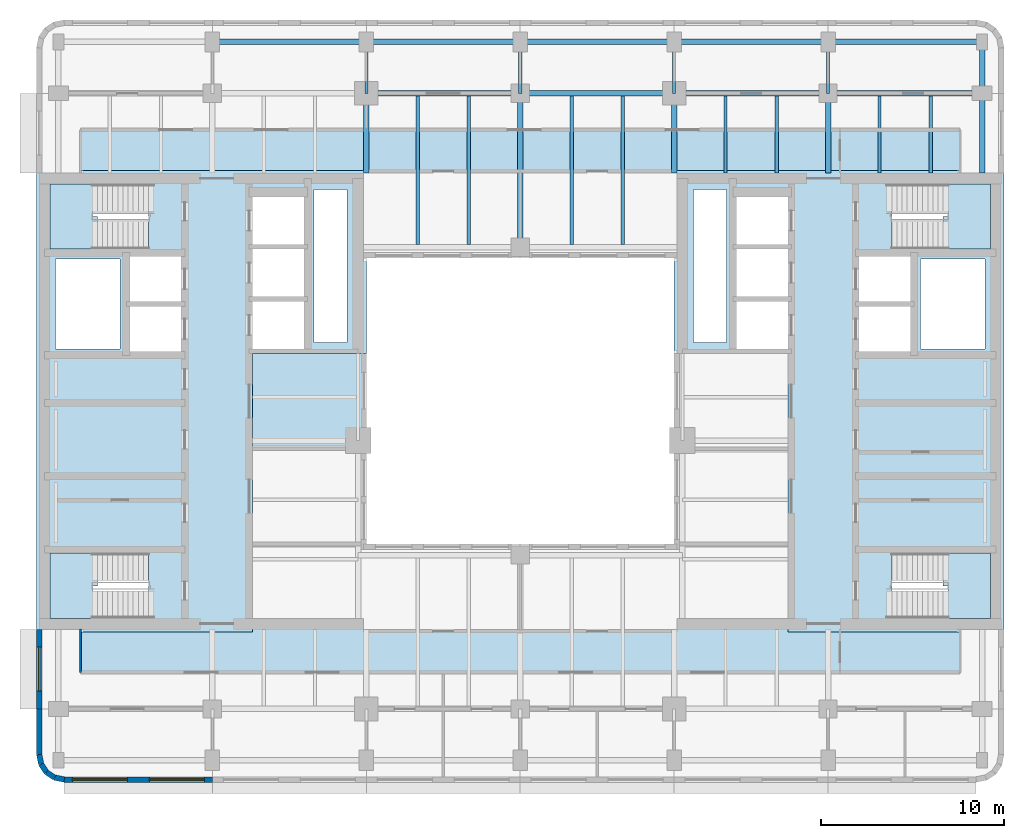
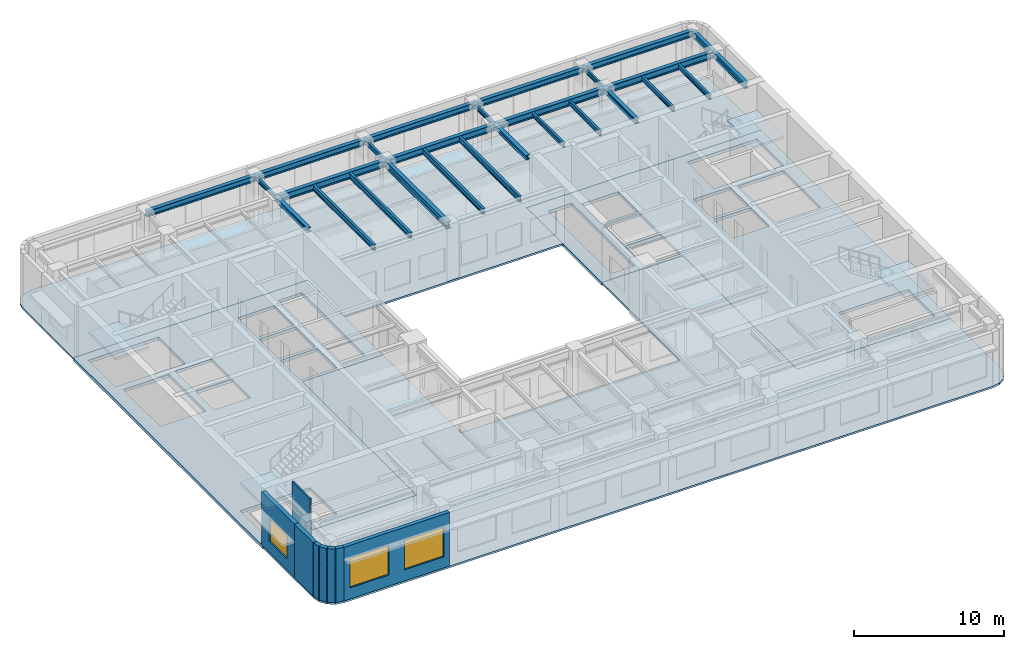
# One storey, part 2 of 11: 27 beams, 8 slabs, 8 walls, 3 windows, 3 openings, 4 elements without a shape of their own.
"""IFC4 building model written with IfcOpenShell, lengths in metres."""

from ifc_helpers import new_model, si_unit, direction, frame, frame_2d, origin, origin_2d, place, context, subcontext, project, spatial, polyline, rectangle, i_section, outline, extrude, material, layer, layer_set, material_profile, profile_set, type_object, element, fill, aggregate, save


model = new_model("IFC4")

# Units and contexts
model_context = context("Model", 3, precision=1e-05, world=origin(), true_north=direction((0.0, 1.0)))
body_context = subcontext(model_context, "Body", "Model", "MODEL_VIEW")
ifc_project = project(units=[si_unit("LENGTHUNIT", "METRE"), si_unit("AREAUNIT", "SQUARE_METRE"), si_unit("VOLUMEUNIT", "CUBIC_METRE"), si_unit("PLANEANGLEUNIT", "RADIAN"), si_unit("MASSUNIT", "GRAM", prefix="KILO")], contexts=[model_context])

# Site, building, storey
site_placement = place(None, origin())
site = spatial("IfcSite", under=ifc_project, at=site_placement, CompositionType="ELEMENT")
building_placement = place(site_placement, origin())
building = spatial("IfcBuilding", under=site, at=building_placement, Name="Claustro Exchange Tower", CompositionType="ELEMENT")
storey_placement = place(building_placement, frame((0.0, 0.0, 263.699951171875)))
storey = spatial("IfcBuildingStorey", under=building, at=storey_placement, Name="L60", CompositionType="ELEMENT", Elevation=263.699951171875)

# Beams
ifc_material_1 = material(Name="Steel S355", Category="steel")
ifc_material_profile_1 = material_profile(ifc_material_1, i_section(OverallWidth=0.169921875, OverallDepth=0.360107421875, WebThickness=0.008056640625, FlangeThickness=0.0126953125, FilletRadius=0.01806640625, at=origin_2d()), Name="IPE 360")
ifc_profile_set_1 = profile_set([ifc_material_profile_1], Name="Steel S355")
beam_type_1 = type_object("IfcBeamType", Name="B16 IPE 360 short-span beam", PredefinedType="BEAM", material=ifc_profile_set_1)
for number, where, z_axis, x_axis, name in (
    (1, (16.800048828125, 42.0, 4.170166015625), (0.0, 1.0, 0.0), (-1.0, 0.0, 0.0), "Beam B16 L61"),
    (2, (25.199951171875, 42.0, 4.170166015625), (0.0, 1.0, 0.0), (-1.0, 0.0, 0.0), "Beam B16 L61"),
    (3, (33.60009765625, 42.0, 4.170166015625), (0.0, 1.0, 0.0), (-1.0, 0.0, 0.0), "Beam B16 L61"),
    (4, (42.0, 42.0, 4.170166015625), (0.0, 1.0, 0.0), (-1.0, 0.0, 0.0), "Beam B16 L61"),
):
    element("IfcBeam", number, at=place(storey_placement, frame(where, z_axis=z_axis, x_axis=x_axis)), inside=storey, type_object=beam_type_1, Name=name, PredefinedType="BEAM", context=body_context, shape_type="SweptSolid", body=[
        extrude(i_section(OverallWidth=0.169921875, OverallDepth=0.360107421875, WebThickness=0.008056640625, FlangeThickness=0.0126953125, FilletRadius=0.01806640625, at=origin_2d()), origin(), (0.0, 0.0, 1.0), 2.800048828125),
    ])
for number, where, z_axis, x_axis, name in (
    (5, (36.39990234375, 37.64990234375, 4.170166015625), (0.0, 1.0, 0.0), (-1.0, 0.0, 0.0), "Beam B16 L61"),
    (6, (39.199951171875, 37.64990234375, 4.170166015625), (0.0, 1.0, 0.0), (-1.0, 0.0, 0.0), "Beam B16 L61"),
    (7, (44.800048828125, 37.64990234375, 4.170166015625), (0.0, 1.0, 0.0), (-1.0, 0.0, 0.0), "Beam B16 L61"),
    (8, (47.60009765625, 37.64990234375, 4.170166015625), (0.0, 1.0, 0.0), (-1.0, 0.0, 0.0), "Beam B16 L61"),
):
    element("IfcBeam", number, at=place(storey_placement, frame(where, z_axis=z_axis, x_axis=x_axis)), inside=storey, type_object=beam_type_1, Name=name, PredefinedType="BEAM", context=body_context, shape_type="SweptSolid", body=[
        extrude(i_section(OverallWidth=0.169921875, OverallDepth=0.360107421875, WebThickness=0.008056640625, FlangeThickness=0.0126953125, FilletRadius=0.01806640625, at=origin_2d()), origin(), (0.0, 0.0, 1.0), 4.2001953125),
    ])
ifc_material_2 = material(Name="Steel S355", Category="steel")
ifc_material_profile_2 = material_profile(ifc_material_2, i_section(OverallWidth=0.300048828125, OverallDepth=0.550048828125, WebThickness=0.014892578125, FlangeThickness=0.029052734375, FilletRadius=0.027099609375, at=origin_2d()), Name="HE 550 B")
ifc_profile_set_2 = profile_set([ifc_material_profile_2], Name="Steel S355")
beam_type_2 = type_object("IfcBeamType", Name="B17 HE 550 B floor girder", PredefinedType="BEAM", material=ifc_profile_set_2)
for number, where, z_axis, x_axis, name in (
    (9, (25.199951171875, 33.60009765625, 4.074951171875), (0.0, 1.0, 0.0), (-1.0, 0.0, 0.0), "Beam B17 L61"),
    (10, (16.800048828125, 42.0, 4.074951171875), (1.0, 0.0, 0.0), (0.0, 1.0, 0.0), "Beam B17 L61"),
):
    element("IfcBeam", number, at=place(storey_placement, frame(where, z_axis=z_axis, x_axis=x_axis)), inside=storey, type_object=beam_type_2, Name=name, PredefinedType="BEAM", context=body_context, shape_type="SweptSolid", body=[
        extrude(i_section(OverallWidth=0.300048828125, OverallDepth=0.550048828125, WebThickness=0.014892578125, FlangeThickness=0.029052734375, FilletRadius=0.027099609375, at=origin_2d()), origin(), (0.0, 0.0, 1.0), 8.39990234375),
    ])
beam_1_placement = place(storey_placement, frame((25.199951171875, 42.0, 4.074951171875), z_axis=(1.0, 0.0, 0.0), x_axis=(0.0, 1.0, 0.0)))
element("IfcBeam", 11, at=beam_1_placement, inside=storey, type_object=beam_type_2, Name="Beam B17 L61", PredefinedType="BEAM", context=body_context, shape_type="SweptSolid", body=[
    extrude(i_section(OverallWidth=0.300048828125, OverallDepth=0.550048828125, WebThickness=0.014892578125, FlangeThickness=0.029052734375, FilletRadius=0.027099609375, at=origin_2d()), origin(), (0.0, 0.0, 1.0), 8.400146484375),
])
for number, where, z_axis, x_axis, name in (
    (12, (33.60009765625, 42.0, 4.074951171875), (1.0, 0.0, 0.0), (0.0, 1.0, 0.0), "Beam B17 L61"),
    (13, (42.0, 42.0, 4.074951171875), (1.0, 0.0, 0.0), (0.0, 1.0, 0.0), "Beam B17 L61"),
):
    element("IfcBeam", number, at=place(storey_placement, frame(where, z_axis=z_axis, x_axis=x_axis)), inside=storey, type_object=beam_type_2, Name=name, PredefinedType="BEAM", context=body_context, shape_type="SweptSolid", body=[
        extrude(i_section(OverallWidth=0.300048828125, OverallDepth=0.550048828125, WebThickness=0.014892578125, FlangeThickness=0.029052734375, FilletRadius=0.027099609375, at=origin_2d()), origin(), (0.0, 0.0, 1.0), 8.39990234375),
    ])
ifc_material_3 = material(Name="Steel S355", Category="steel")
ifc_material_profile_3 = material_profile(ifc_material_3, i_section(OverallWidth=0.300048828125, OverallDepth=0.360107421875, WebThickness=0.012451171875, FlangeThickness=0.0224609375, FilletRadius=0.027099609375, at=origin_2d()), Name="HE 360 B")
ifc_profile_set_3 = profile_set([ifc_material_profile_3], Name="Steel S355")
beam_type_3 = type_object("IfcBeamType", Name="B29 HE 360 B column to core link beam", PredefinedType="BEAM", material=ifc_profile_set_3)
for number, where, z_axis, x_axis, name in (
    (14, (16.800048828125, 37.64990234375, 4.170166015625), (0.0, 1.0, 0.0), (-1.0, 0.0, 0.0), "Beam B29 L61"),
    (15, (33.60009765625, 37.64990234375, 4.170166015625), (0.0, 1.0, 0.0), (-1.0, 0.0, 0.0), "Beam B29 L61"),
    (16, (42.0, 37.64990234375, 4.170166015625), (0.0, 1.0, 0.0), (-1.0, 0.0, 0.0), "Beam B29 L61"),
):
    element("IfcBeam", number, at=place(storey_placement, frame(where, z_axis=z_axis, x_axis=x_axis)), inside=storey, type_object=beam_type_3, Name=name, PredefinedType="BEAM", context=body_context, shape_type="SweptSolid", body=[
        extrude(i_section(OverallWidth=0.300048828125, OverallDepth=0.360107421875, WebThickness=0.012451171875, FlangeThickness=0.0224609375, FilletRadius=0.027099609375, at=origin_2d()), origin(), (0.0, 0.0, 1.0), 4.35009765625),
    ])
ifc_material_4 = material(Name="Steel S355", Category="steel")
ifc_material_profile_4 = material_profile(ifc_material_4, i_section(OverallWidth=0.18994140625, OverallDepth=0.449951171875, WebThickness=0.009521484375, FlangeThickness=0.0146484375, FilletRadius=0.02099609375, at=origin_2d()), Name="IPE 450")
ifc_profile_set_4 = profile_set([ifc_material_profile_4], Name="Steel S355")
beam_type_4 = type_object("IfcBeamType", Name="B8 IPE 450 secondary beam", PredefinedType="BEAM", material=ifc_profile_set_4)
for number, where, z_axis, x_axis, name in (
    (17, (19.60009765625, 33.75, 4.125), (0.0, 1.0, 0.0), (-1.0, 0.0, 0.0), "Beam B8 L61"),
    (18, (22.39990234375, 33.75, 4.125), (0.0, 1.0, 0.0), (-1.0, 0.0, 0.0), "Beam B8 L61"),
    (19, (28.0, 33.75, 4.125), (0.0, 1.0, 0.0), (-1.0, 0.0, 0.0), "Beam B8 L61"),
    (20, (30.800048828125, 33.75, 4.125), (0.0, 1.0, 0.0), (-1.0, 0.0, 0.0), "Beam B8 L61"),
):
    element("IfcBeam", number, at=place(storey_placement, frame(where, z_axis=z_axis, x_axis=x_axis)), inside=storey, type_object=beam_type_4, Name=name, PredefinedType="BEAM", context=body_context, shape_type="SweptSolid", body=[
        extrude(i_section(OverallWidth=0.18994140625, OverallDepth=0.449951171875, WebThickness=0.009521484375, FlangeThickness=0.0146484375, FilletRadius=0.02099609375, at=origin_2d()), origin(), (0.0, 0.0, 1.0), 8.10009765625),
    ])
ifc_material_5 = material(Name="Steel S355", Category="steel")
ifc_material_profile_5 = material_profile(ifc_material_5, i_section(OverallWidth=0.300048828125, OverallDepth=0.489990234375, WebThickness=0.011962890625, FlangeThickness=0.02294921875, FilletRadius=0.027099609375, at=origin_2d()), Name="HE 500 A")
ifc_profile_set_5 = profile_set([ifc_material_profile_5], Name="Steel S355")
beam_type_5 = type_object("IfcBeamType", Name="B9 HE 500 A spandrel edge girder", PredefinedType="SPANDREL", material=ifc_profile_set_5)
beam_2_placement = place(storey_placement, frame((50.39990234375, 37.64990234375, 4.10498046875), z_axis=(0.0, 1.0, 0.0), x_axis=(-1.0, 0.0, 0.0)))
element("IfcBeam", 21, at=beam_2_placement, inside=storey, type_object=beam_type_5, Name="Beam B9 L61", PredefinedType="SPANDREL", context=body_context, shape_type="SweptSolid", body=[
    extrude(i_section(OverallWidth=0.300048828125, OverallDepth=0.489990234375, WebThickness=0.011962890625, FlangeThickness=0.02294921875, FilletRadius=0.027099609375, at=origin_2d()), origin(), (0.0, 0.0, 1.0), 4.35009765625),
])
beam_3_placement = place(storey_placement, frame((50.39990234375, 42.0, 4.10498046875), z_axis=(0.0, 1.0, 0.0), x_axis=(-1.0, 0.0, 0.0)))
element("IfcBeam", 22, at=beam_3_placement, inside=storey, type_object=beam_type_5, Name="Beam B9 L61", PredefinedType="SPANDREL", context=body_context, shape_type="SweptSolid", body=[
    extrude(i_section(OverallWidth=0.300048828125, OverallDepth=0.489990234375, WebThickness=0.011962890625, FlangeThickness=0.02294921875, FilletRadius=0.027099609375, at=origin_2d()), origin(), (0.0, 0.0, 1.0), 2.800048828125),
])
beam_4_placement = place(storey_placement, frame((8.39990234375, 44.800048828125, 4.10498046875), z_axis=(1.0, 0.0, 0.0), x_axis=(0.0, 1.0, 0.0)))
element("IfcBeam", 23, at=beam_4_placement, inside=storey, type_object=beam_type_5, Name="Beam B9 L61", PredefinedType="SPANDREL", context=body_context, shape_type="SweptSolid", body=[
    extrude(i_section(OverallWidth=0.300048828125, OverallDepth=0.489990234375, WebThickness=0.011962890625, FlangeThickness=0.02294921875, FilletRadius=0.027099609375, at=origin_2d()), origin(), (0.0, 0.0, 1.0), 8.400146484375),
])
beam_5_placement = place(storey_placement, frame((16.800048828125, 44.800048828125, 4.10498046875), z_axis=(1.0, 0.0, 0.0), x_axis=(0.0, 1.0, 0.0)))
element("IfcBeam", 24, at=beam_5_placement, inside=storey, type_object=beam_type_5, Name="Beam B9 L61", PredefinedType="SPANDREL", context=body_context, shape_type="SweptSolid", body=[
    extrude(i_section(OverallWidth=0.300048828125, OverallDepth=0.489990234375, WebThickness=0.011962890625, FlangeThickness=0.02294921875, FilletRadius=0.027099609375, at=origin_2d()), origin(), (0.0, 0.0, 1.0), 8.39990234375),
])
beam_6_placement = place(storey_placement, frame((25.199951171875, 44.800048828125, 4.10498046875), z_axis=(1.0, 0.0, 0.0), x_axis=(0.0, 1.0, 0.0)))
element("IfcBeam", 25, at=beam_6_placement, inside=storey, type_object=beam_type_5, Name="Beam B9 L61", PredefinedType="SPANDREL", context=body_context, shape_type="SweptSolid", body=[
    extrude(i_section(OverallWidth=0.300048828125, OverallDepth=0.489990234375, WebThickness=0.011962890625, FlangeThickness=0.02294921875, FilletRadius=0.027099609375, at=origin_2d()), origin(), (0.0, 0.0, 1.0), 8.400146484375),
])
for number, where, z_axis, x_axis, name in (
    (26, (33.60009765625, 44.800048828125, 4.10498046875), (1.0, 0.0, 0.0), (0.0, 1.0, 0.0), "Beam B9 L61"),
    (27, (42.0, 44.800048828125, 4.10498046875), (1.0, 0.0, 0.0), (0.0, 1.0, 0.0), "Beam B9 L61"),
):
    element("IfcBeam", number, at=place(storey_placement, frame(where, z_axis=z_axis, x_axis=x_axis)), inside=storey, type_object=beam_type_5, Name=name, PredefinedType="SPANDREL", context=body_context, shape_type="SweptSolid", body=[
        extrude(i_section(OverallWidth=0.300048828125, OverallDepth=0.489990234375, WebThickness=0.011962890625, FlangeThickness=0.02294921875, FilletRadius=0.027099609375, at=origin_2d()), origin(), (0.0, 0.0, 1.0), 8.39990234375),
    ])

# Slabs
ifc_material_6 = material(Name="Concrete HA-50 (C50/60)", Category="concrete")
ifc_layer_1 = layer(ifc_material_6, 0.14990234375)
ifc_layer_set_1 = layer_set([ifc_layer_1], Name="Concrete HA-50 (C50/60)")
slab_type_1 = type_object("IfcSlabType", Name="S2 150 composite floor slab", PredefinedType="FLOOR", material=ifc_layer_set_1)
slab_1_placement = place(storey_placement, frame((0.0, 0.0, -0.14990234375)))
element("IfcSlab", 28, at=slab_1_placement, inside=storey, type_object=slab_type_1, Name="Floor slab S2 S L60", PredefinedType="FLOOR", context=body_context, shape_type="SweptSolid", body=[
    extrude(outline(polyline([(-0.27392578125, 4.51416015625), (0.300048828125, 4.39990234375), (50.10009765625, 4.39990234375), (50.674072265625, 4.51416015625), (51.16064453125, 4.83935546875), (51.48583984375, 5.325927734375), (51.60009765625, 5.89990234375), (51.60009765625, 12.60009765625), (39.800048828125, 12.60009765625), (39.800048828125, 27.800048828125), (33.60009765625, 27.800048828125), (33.60009765625, 17.39990234375), (16.800048828125, 17.39990234375), (16.800048828125, 27.800048828125), (10.60009765625, 27.800048828125), (10.60009765625, 12.60009765625), (-1.199951171875, 12.60009765625), (-1.199951171875, 5.89990234375), (-1.085693359375, 5.325927734375), (-0.7607421875, 4.83935546875), (-0.27392578125, 4.51416015625)])), origin(), (0.0, 0.0, 1.0), 0.14990234375),
])
slab_2_placement = place(storey_placement, frame((0.0, 0.0, -0.14990234375)))
element("IfcSlab", 29, at=slab_2_placement, inside=storey, type_object=slab_type_1, Name="Floor slab S2 N L60", PredefinedType="FLOOR", context=body_context, shape_type="SweptSolid", body=[
    extrude(outline(polyline([(16.800048828125, 37.800048828125), (16.800048828125, 33.0), (33.60009765625, 33.0), (33.60009765625, 37.800048828125), (51.60009765625, 37.800048828125), (51.60009765625, 44.5), (51.48583984375, 45.073974609375), (51.16064453125, 45.560791015625), (50.674072265625, 45.8857421875), (50.10009765625, 46.0), (0.300048828125, 46.0), (-0.27392578125, 45.8857421875), (-0.7607421875, 45.560791015625), (-1.085693359375, 45.073974609375), (-1.199951171875, 44.5), (-1.199951171875, 37.800048828125), (16.800048828125, 37.800048828125)])), origin(), (0.0, 0.0, 1.0), 0.14990234375),
])
ifc_material_7 = material(Name="Concrete HA-50 (C50/60)", Category="concrete")
ifc_layer_2 = layer(ifc_material_7, 0.25)
ifc_layer_set_2 = layer_set([ifc_layer_2], Name="Concrete HA-50 (C50/60)")
slab_type_2 = type_object("IfcSlabType", Name="S7 250 core floor slab", PredefinedType="FLOOR", material=ifc_layer_set_2)
slab_3_placement = place(storey_placement, frame((0.0, 0.0, -0.25)))
element("IfcSlab", 30, at=slab_3_placement, inside=storey, type_object=slab_type_2, Name="Core floor slab S7 W core L60", PredefinedType="FLOOR", context=body_context, shape_type="SweptSolid", body=[
    extrude(outline(polyline([(-1.199951171875, 37.800048828125), (-1.199951171875, 12.60009765625), (10.60009765625, 12.60009765625), (10.60009765625, 27.800048828125), (16.800048828125, 27.800048828125), (16.800048828125, 37.800048828125), (-1.199951171875, 37.800048828125)]), holes=[polyline([(13.949951171875, 36.75), (15.75, 36.75), (15.75, 28.39990234375), (13.949951171875, 28.39990234375), (13.949951171875, 36.75)]), polyline([(10.60009765625, 30.64990234375), (13.39990234375, 30.64990234375), (13.39990234375, 28.050048828125), (10.60009765625, 28.050048828125), (10.60009765625, 30.64990234375)]), polyline([(10.60009765625, 33.5), (13.39990234375, 33.5), (13.39990234375, 30.89990234375), (10.60009765625, 30.89990234375), (10.60009765625, 33.5)]), polyline([(13.39990234375, 36.35009765625), (13.39990234375, 33.75), (10.60009765625, 33.75), (10.60009765625, 36.35009765625), (13.39990234375, 36.35009765625)]), polyline([(3.89990234375, 30.375), (6.699951171875, 30.375), (6.699951171875, 27.89990234375), (3.89990234375, 27.89990234375), (3.89990234375, 30.375)]), polyline([(3.89990234375, 33.10009765625), (6.699951171875, 33.10009765625), (6.699951171875, 30.625), (3.89990234375, 30.625), (3.89990234375, 33.10009765625)]), polyline([(-0.449951171875, 13.35009765625), (-0.449951171875, 15.125), (-0.449951171875, 16.89990234375), (4.9150390625, 16.89990234375), (4.9150390625, 15.125), (4.919921875, 15.125), (4.919921875, 13.35009765625), (-0.449951171875, 13.35009765625)]), polyline([(-0.449951171875, 37.050048828125), (4.919921875, 37.050048828125), (4.919921875, 35.27490234375), (4.9150390625, 35.27490234375), (4.9150390625, 33.5), (-0.449951171875, 33.5), (-0.449951171875, 35.27490234375), (-0.449951171875, 37.050048828125)]), polyline([(-0.14990234375, 32.949951171875), (3.35009765625, 32.949951171875), (3.35009765625, 28.050048828125), (-0.14990234375, 28.050048828125), (-0.14990234375, 32.949951171875)])]), origin(), (0.0, 0.0, 1.0), 0.25),
])
slab_4_placement = place(storey_placement, frame((0.0, 0.0, -0.25)))
element("IfcSlab", 31, at=slab_4_placement, inside=storey, type_object=slab_type_2, Name="Core floor slab S7 E core L60", PredefinedType="FLOOR", context=body_context, shape_type="SweptSolid", body=[
    extrude(outline(polyline([(51.60009765625, 37.800048828125), (33.60009765625, 37.800048828125), (33.60009765625, 27.800048828125), (39.800048828125, 27.800048828125), (39.800048828125, 12.60009765625), (51.60009765625, 12.60009765625), (51.60009765625, 37.800048828125)]), holes=[polyline([(45.47998046875, 15.125), (45.485107421875, 15.125), (45.485107421875, 16.89990234375), (50.85009765625, 16.89990234375), (50.85009765625, 15.125), (50.85009765625, 13.35009765625), (45.47998046875, 13.35009765625), (45.47998046875, 15.125)]), polyline([(45.47998046875, 35.27490234375), (45.47998046875, 37.050048828125), (50.85009765625, 37.050048828125), (50.85009765625, 35.27490234375), (50.85009765625, 33.5), (45.485107421875, 33.5), (45.485107421875, 35.27490234375), (45.47998046875, 35.27490234375)]), polyline([(47.050048828125, 32.949951171875), (50.550048828125, 32.949951171875), (50.550048828125, 28.050048828125), (47.050048828125, 28.050048828125), (47.050048828125, 32.949951171875)]), polyline([(43.699951171875, 30.375), (46.5, 30.375), (46.5, 27.89990234375), (43.699951171875, 27.89990234375), (43.699951171875, 30.375)]), polyline([(43.699951171875, 33.10009765625), (46.5, 33.10009765625), (46.5, 30.625), (43.699951171875, 30.625), (43.699951171875, 33.10009765625)]), polyline([(37.0, 30.64990234375), (39.800048828125, 30.64990234375), (39.800048828125, 28.050048828125), (37.0, 28.050048828125), (37.0, 30.64990234375)]), polyline([(37.0, 33.5), (39.800048828125, 33.5), (39.800048828125, 30.89990234375), (37.0, 30.89990234375), (37.0, 33.5)]), polyline([(39.800048828125, 36.35009765625), (39.800048828125, 33.75), (37.0, 33.75), (37.0, 36.35009765625), (39.800048828125, 36.35009765625)]), polyline([(34.64990234375, 36.75), (36.449951171875, 36.75), (36.449951171875, 28.39990234375), (34.64990234375, 28.39990234375), (34.64990234375, 36.75)])]), origin(), (0.0, 0.0, 1.0), 0.25),
])

# Stair, slab
ifc_material_8 = material(Name="Concrete HA-30 (C30/37), precast", Category="concrete")
stair_type = type_object("IfcStairType", Name="ST2 half-turn stair, 25 risers of 180", PredefinedType="HALF_TURN_STAIR", material=ifc_material_8)
stair_1_placement = place(storey_placement, origin())
stair_1 = element("IfcStair", 32, at=stair_1_placement, inside=storey, type_object=stair_type, Name="Stair STWA L60", PredefinedType="HALF_TURN_STAIR")
ifc_material_9 = material(Name="Concrete HA-30 (C30/37), precast", Category="concrete")
ifc_layer_3 = layer(ifc_material_9, 0.199951171875)
ifc_layer_set_3 = layer_set([ifc_layer_3], Name="Concrete HA-30 (C30/37), precast")
slab_type_3 = type_object("IfcSlabType", Name="S9 200 stair landing", PredefinedType="LANDING", material=ifc_layer_set_3)
slab_5_placement = place(storey_placement, frame((0.0, 0.0, 2.14013671875)))
slab_5 = element("IfcSlab", 33, at=slab_5_placement, type_object=slab_type_3, Name="STWA landing 1", PredefinedType="LANDING", context=body_context, shape_type="SweptSolid", body=[
    extrude(outline(polyline([(1.844970703125, 13.35009765625), (-0.449951171875, 13.35009765625), (-0.449951171875, 16.89990234375), (1.840087890625, 16.89990234375), (1.844970703125, 16.89990234375), (2.1201171875, 16.89990234375), (2.1201171875, 15.125), (1.844970703125, 15.125), (1.844970703125, 13.35009765625)])), origin(), (0.0, 0.0, 1.0), 0.199951171875),
])
aggregate(stair_1, [slab_5])

stair_2_placement = place(storey_placement, origin())
stair_2 = element("IfcStair", 34, at=stair_2_placement, inside=storey, type_object=stair_type, Name="Stair STWB L60", PredefinedType="HALF_TURN_STAIR")
slab_6_placement = place(storey_placement, frame((0.0, 0.0, 2.14013671875)))
slab_6 = element("IfcSlab", 35, at=slab_6_placement, type_object=slab_type_3, Name="STWB landing 1", PredefinedType="LANDING", context=body_context, shape_type="SweptSolid", body=[
    extrude(outline(polyline([(2.1201171875, 35.27490234375), (2.1201171875, 33.5), (1.844970703125, 33.5), (1.840087890625, 33.5), (-0.449951171875, 33.5), (-0.449951171875, 37.050048828125), (1.844970703125, 37.050048828125), (1.844970703125, 35.27490234375), (2.1201171875, 35.27490234375)])), origin(), (0.0, 0.0, 1.0), 0.199951171875),
])
aggregate(stair_2, [slab_6])

stair_3_placement = place(storey_placement, origin())
stair_3 = element("IfcStair", 36, at=stair_3_placement, inside=storey, type_object=stair_type, Name="Stair STEA L60", PredefinedType="HALF_TURN_STAIR")
slab_7_placement = place(storey_placement, frame((0.0, 0.0, 2.14013671875)))
slab_7 = element("IfcSlab", 37, at=slab_7_placement, type_object=slab_type_3, Name="STEA landing 1", PredefinedType="LANDING", context=body_context, shape_type="SweptSolid", body=[
    extrude(outline(polyline([(50.85009765625, 16.89990234375), (50.85009765625, 13.35009765625), (48.554931640625, 13.35009765625), (48.554931640625, 15.125), (48.280029296875, 15.125), (48.280029296875, 16.89990234375), (48.554931640625, 16.89990234375), (48.56005859375, 16.89990234375), (50.85009765625, 16.89990234375)])), origin(), (0.0, 0.0, 1.0), 0.199951171875),
])
aggregate(stair_3, [slab_7])

stair_4_placement = place(storey_placement, origin())
stair_4 = element("IfcStair", 38, at=stair_4_placement, inside=storey, type_object=stair_type, Name="Stair STEB L60", PredefinedType="HALF_TURN_STAIR")
slab_8_placement = place(storey_placement, frame((0.0, 0.0, 2.14013671875)))
slab_8 = element("IfcSlab", 39, at=slab_8_placement, type_object=slab_type_3, Name="STEB landing 1", PredefinedType="LANDING", context=body_context, shape_type="SweptSolid", body=[
    extrude(outline(polyline([(48.280029296875, 33.5), (48.280029296875, 35.27490234375), (48.554931640625, 35.27490234375), (48.554931640625, 37.050048828125), (50.85009765625, 37.050048828125), (50.85009765625, 33.5), (48.56005859375, 33.5), (48.554931640625, 33.5), (48.280029296875, 33.5)])), origin(), (0.0, 0.0, 1.0), 0.199951171875),
])
aggregate(stair_4, [slab_8])

# Wall
ifc_material_10 = material(Name="Laminated glass in aluminium frame", Category="aluminium")
ifc_layer_4 = layer(ifc_material_10, 0.1201171875)
ifc_layer_set_4 = layer_set([ifc_layer_4], Name="Laminated glass in aluminium frame")
wall_type_1 = type_object("IfcWallType", Name="P2 120 glazed partition", PredefinedType="PARTITIONING", material=ifc_layer_set_4)
wall_1_placement = place(storey_placement, frame((1.199951171875, 10.39990234375, 0.0), z_axis=(0.0, 0.0, 1.0), x_axis=(0.0, 1.0, 0.0)))
element("IfcWall", 40, at=wall_1_placement, inside=storey, type_object=wall_type_1, Name="Partition P2 L60", PredefinedType="PARTITIONING", context=body_context, shape_type="SweptSolid", body=[
    extrude(rectangle(XDim=2.35205078125, YDim=0.1201171875, at=frame_2d((1.176025390625, 0.0))), origin(), (0.0, 0.0, 1.0), 4.35009765625),
])

# Wall, openings, windows
ifc_material_11 = material(Name="Concrete HA-40 (C40/50), precast, white cement, acid-etched", Category="concrete")
ifc_layer_5 = layer(ifc_material_11, 0.300048828125)
ifc_layer_set_5 = layer_set([ifc_layer_5], Name="Concrete HA-40 (C40/50), precast, white cement, acid-etched")
wall_type_2 = type_object("IfcWallType", Name="PC1 300 precast concrete pier panel", PredefinedType="SOLIDWALL", material=ifc_layer_set_5)
wall_2_placement = place(storey_placement, frame((8.39990234375, 4.550048828125, 0.0), z_axis=(0.0, 0.0, 1.0), x_axis=(-1.0, 0.0, 0.0)))
wall_2 = element("IfcWall", 41, at=wall_2_placement, inside=storey, type_object=wall_type_2, Name="Precast pier panel PC1 L60", PredefinedType="SOLIDWALL", context=body_context, shape_type="SweptSolid", body=[
    extrude(rectangle(XDim=8.085205078125, YDim=0.300048828125, at=frame_2d((4.04248046875, 0.0))), origin(), (0.0, 0.0, 1.0), 4.35009765625),
])
opening_1_placement = place(wall_2_placement, frame((0.442626953125, 0.0, 0.89990234375)))
opening_1 = element("IfcOpeningElement", 42, at=opening_1_placement, cuts=wall_2, Name="Opening W3", PredefinedType="OPENING", context=body_context, shape_type="SweptSolid", body=[
    extrude(rectangle(XDim=3.0, YDim=2.39990234375, at=frame_2d((1.5, 1.199951171875))), frame((0.0, 0.159912109375, 0.0), z_axis=(0.0, -1.0, 0.0), x_axis=(1.0, 0.0, 0.0)), (0.0, 0.0, 1.0), 0.320068359375),
])
opening_2_placement = place(wall_2_placement, frame((4.642578125, 0.0, 0.89990234375)))
opening_2 = element("IfcOpeningElement", 43, at=opening_2_placement, cuts=wall_2, Name="Opening W3", PredefinedType="OPENING", context=body_context, shape_type="SweptSolid", body=[
    extrude(rectangle(XDim=3.0, YDim=2.39990234375, at=frame_2d((1.5, 1.199951171875))), frame((0.0, 0.159912109375, 0.0), z_axis=(0.0, -1.0, 0.0), x_axis=(1.0, 0.0, 0.0)), (0.0, 0.0, 1.0), 0.320068359375),
])
ifc_material_12 = material(Name="Aluminium frame, clear double glazing", Category="aluminium")
window_type_1 = type_object("IfcWindowType", Name="W3 3000 x 2400 window", PartitioningType="SINGLE_PANEL", PredefinedType="WINDOW", material=ifc_material_12)
window_1_placement = place(opening_1_placement, origin())
window_1 = element("IfcWindow", 44, at=window_1_placement, inside=storey, type_object=window_type_1, Name="Window W3 L60", OverallHeight=2.39990234375, OverallWidth=3.0, PartitioningType="SINGLE_PANEL", PredefinedType="WINDOW", context=body_context, shape_type="SweptSolid", body=[
    extrude(rectangle(XDim=3.0, YDim=2.39990234375, at=frame_2d((1.5, 1.199951171875))), frame((0.0, 0.030029296875, 0.0), z_axis=(0.0, -1.0, 0.0), x_axis=(1.0, 0.0, 0.0)), (0.0, 0.0, 1.0), 0.06005859375),
])
fill(opening_1, window_1)
window_2_placement = place(opening_2_placement, origin())
window_2 = element("IfcWindow", 45, at=window_2_placement, inside=storey, type_object=window_type_1, Name="Window W3 L60", OverallHeight=2.39990234375, OverallWidth=3.0, PartitioningType="SINGLE_PANEL", PredefinedType="WINDOW", context=body_context, shape_type="SweptSolid", body=[
    extrude(rectangle(XDim=3.0, YDim=2.39990234375, at=frame_2d((1.5, 1.199951171875))), frame((0.0, 0.030029296875, 0.0), z_axis=(0.0, -1.0, 0.0), x_axis=(1.0, 0.0, 0.0)), (0.0, 0.0, 1.0), 0.06005859375),
])
fill(opening_2, window_2)

# Walls
wall_3_placement = place(storey_placement, frame((0.314697265625, 4.550048828125, 0.0), z_axis=(0.0, 0.0, 1.0), x_axis=(-0.980788534345, 0.195073962632, 0.0)))
element("IfcWall", 46, at=wall_3_placement, inside=storey, type_object=wall_type_2, Name="Precast pier panel PC1 L60", PredefinedType="SOLIDWALL", context=body_context, shape_type="SweptSolid", body=[
    extrude(rectangle(XDim=0.540771484375, YDim=0.300048828125, at=frame_2d((0.2705078125, 0.0))), origin(), (0.0, 0.0, 1.0), 4.35009765625),
])
for number, where, z_axis, x_axis, name in (
    (47, (-0.215576171875, 4.655517578125, 0.0), (0.0, 0.0, 1.0), (-0.831478144188, 0.555557463938, 0.0), "Precast pier panel PC1 L60"),
    (48, (-0.652587890625, 4.947509765625, 0.0), (0.0, 0.0, 1.0), (-0.555557463938, 0.831478144188, 0.0), "Precast pier panel PC1 L60"),
):
    element("IfcWall", number, at=place(storey_placement, frame(where, z_axis=z_axis, x_axis=x_axis)), inside=storey, type_object=wall_type_2, Name=name, PredefinedType="SOLIDWALL", context=body_context, shape_type="SweptSolid", body=[
        extrude(rectangle(XDim=0.525634765625, YDim=0.300048828125, at=frame_2d((0.2626953125, 0.0))), origin(), (0.0, 0.0, 1.0), 4.35009765625),
    ])
wall_4_placement = place(storey_placement, frame((-0.944580078125, 5.384521484375, 0.0), z_axis=(0.0, 0.0, 1.0), x_axis=(-0.195073962632, 0.980788534345, 0.0)))
element("IfcWall", 49, at=wall_4_placement, inside=storey, type_object=wall_type_2, Name="Precast pier panel PC1 L60", PredefinedType="SOLIDWALL", context=body_context, shape_type="SweptSolid", body=[
    extrude(rectangle(XDim=0.540771484375, YDim=0.300048828125, at=frame_2d((0.2705078125, 0.0))), origin(), (0.0, 0.0, 1.0), 4.35009765625),
])
wall_5_placement = place(storey_placement, frame((-1.050048828125, 5.914794921875, 0.0), z_axis=(0.0, 0.0, 1.0), x_axis=(0.0, 1.0, 0.0)))
element("IfcWall", 50, at=wall_5_placement, inside=storey, type_object=wall_type_2, Name="Precast pier panel PC1 L60", PredefinedType="SOLIDWALL", context=body_context, shape_type="SweptSolid", body=[
    extrude(rectangle(XDim=2.485107421875, YDim=0.300048828125, at=frame_2d((1.24267578125, 0.0))), origin(), (0.0, 0.0, 1.0), 4.35009765625),
])

# Wall, opening, window
wall_6_placement = place(storey_placement, frame((-1.050048828125, 8.39990234375, 0.0), z_axis=(0.0, 0.0, 1.0), x_axis=(0.0, 1.0, 0.0)))
wall_6 = element("IfcWall", 51, at=wall_6_placement, inside=storey, type_object=wall_type_2, Name="Precast pier panel PC1 L60", PredefinedType="SOLIDWALL", context=body_context, shape_type="SweptSolid", body=[
    extrude(rectangle(XDim=4.35009765625, YDim=0.300048828125, at=frame_2d((2.175048828125, 0.0))), origin(), (0.0, 0.0, 1.0), 4.35009765625),
])
opening_3_placement = place(wall_6_placement, frame((0.97509765625, 0.0, 0.89990234375)))
opening_3 = element("IfcOpeningElement", 52, at=opening_3_placement, cuts=wall_6, Name="Opening W2", PredefinedType="OPENING", context=body_context, shape_type="SweptSolid", body=[
    extrude(rectangle(XDim=2.39990234375, YDim=1.89990234375, at=frame_2d((1.199951171875, 0.949951171875))), frame((0.0, 0.159912109375, 0.0), z_axis=(0.0, -1.0, 0.0), x_axis=(1.0, 0.0, 0.0)), (0.0, 0.0, 1.0), 0.320068359375),
])
ifc_material_13 = material(Name="Aluminium frame, clear double glazing", Category="aluminium")
window_type_2 = type_object("IfcWindowType", Name="W2 2400 x 1900 window", PartitioningType="SINGLE_PANEL", PredefinedType="WINDOW", material=ifc_material_13)
window_3_placement = place(opening_3_placement, origin())
window_3 = element("IfcWindow", 53, at=window_3_placement, inside=storey, type_object=window_type_2, Name="Window W2 L60", OverallHeight=1.89990234375, OverallWidth=2.39990234375, PartitioningType="SINGLE_PANEL", PredefinedType="WINDOW", context=body_context, shape_type="SweptSolid", body=[
    extrude(rectangle(XDim=2.39990234375, YDim=1.89990234375, at=frame_2d((1.199951171875, 0.949951171875))), frame((0.0, 0.030029296875, 0.0), z_axis=(0.0, -1.0, 0.0), x_axis=(1.0, 0.0, 0.0)), (0.0, 0.0, 1.0), 0.06005859375),
])
fill(opening_3, window_3)

save(model, "model.ifc")
